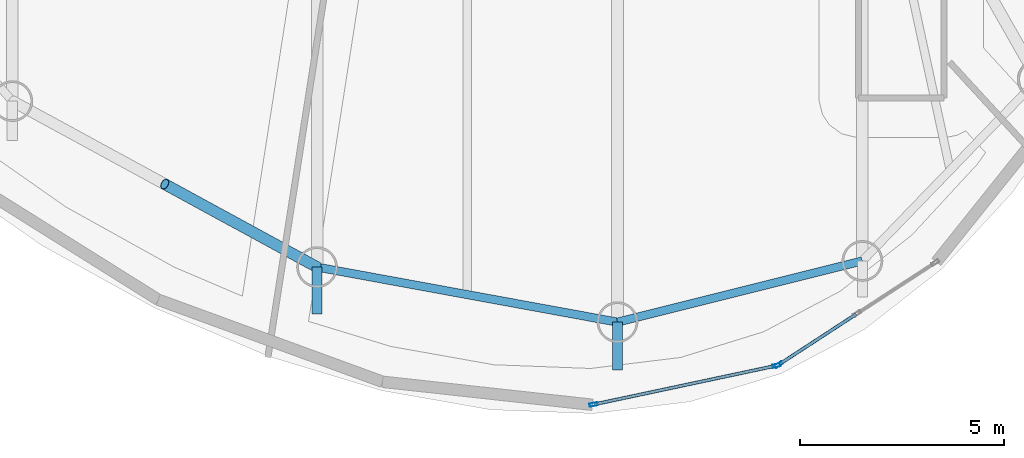
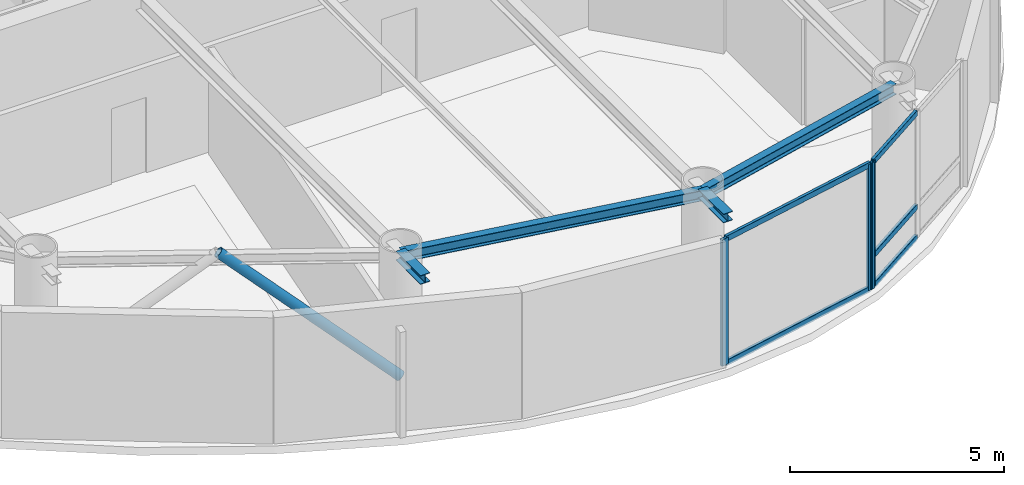
# One storey, part 3 of 20: 9 members, 4 beams, 2 elements without a shape of their own.
"""IFC4 building model written with IfcOpenShell, lengths in metres."""

from ifc_helpers import new_model, si_unit, direction, frame, origin, origin_2d, place, context, subcontext, project, spatial, hollow_rectangle, hollow_circle, i_section, extrude, material, layer, layer_set, material_profile, profile_set, type_object, element, aggregate, save


model = new_model("IFC4")

# Units and contexts
model_context = context("Model", 3, precision=1e-05, world=origin(), true_north=direction((0.0, 1.0)))
body_context = subcontext(model_context, "Body", "Model", "MODEL_VIEW")
ifc_project = project(units=[si_unit("LENGTHUNIT", "METRE"), si_unit("AREAUNIT", "SQUARE_METRE"), si_unit("VOLUMEUNIT", "CUBIC_METRE"), si_unit("PLANEANGLEUNIT", "RADIAN"), si_unit("MASSUNIT", "GRAM", prefix="KILO")], contexts=[model_context])

# Site, building, storey
site_placement = place(None, origin())
site = spatial("IfcSite", under=ifc_project, at=site_placement, CompositionType="ELEMENT")
building_placement = place(site_placement, origin())
building = spatial("IfcBuilding", under=site, at=building_placement, Name="Bramvorn Convention Spire", CompositionType="ELEMENT")
storey_placement = place(building_placement, frame((0.0, 0.0, 303.64990234375)))
storey = spatial("IfcBuildingStorey", under=building, at=storey_placement, Name="L77", CompositionType="ELEMENT", Elevation=303.64990234375)

# Beams
ifc_material_1 = material(Name="Steel CSA G40.21 Grade 350 (350W)", Category="steel")
ifc_material_profile_1 = material_profile(ifc_material_1, i_section(OverallWidth=0.25390625, OverallDepth=0.2529296875, WebThickness=0.008544921875, FlangeThickness=0.01416015625, FilletRadius=0.011962890625, at=origin_2d()))
ifc_profile_set_1 = profile_set([ifc_material_profile_1], Name="Steel CSA G40.21 Grade 350 (350W) - W250X73")
beam_type_1 = type_object("IfcBeamType", Name="BM-W250X73", PredefinedType="BEAM", material=ifc_profile_set_1)
beam_1_placement = place(storey_placement, frame((35.8154296875, 6.44921875, 3.4736328125), z_axis=(0.0, -1.0, 0.0), x_axis=(1.0, 0.0, 0.0)))
element("IfcBeam", 1, at=beam_1_placement, inside=storey, type_object=beam_type_1, Name="L77 slab-edge cantilever tip beam MC15", PredefinedType="BEAM", context=body_context, shape_type="SweptSolid", body=[
    extrude(i_section(OverallWidth=0.25390625, OverallDepth=0.2529296875, WebThickness=0.008544921875, FlangeThickness=0.01416015625, FilletRadius=0.011962890625, at=origin_2d()), origin(), (0.0, 0.0, 1.0), 1.15576171875),
])
beam_2_placement = place(storey_placement, frame((43.1884765625, 5.09912109375, 3.4736328125), z_axis=(0.0, -1.0, 0.0), x_axis=(1.0, 0.0, 0.0)))
element("IfcBeam", 2, at=beam_2_placement, inside=storey, type_object=beam_type_1, Name="L77 slab-edge cantilever tip beam MC16", PredefinedType="BEAM", context=body_context, shape_type="SweptSolid", body=[
    extrude(i_section(OverallWidth=0.25390625, OverallDepth=0.2529296875, WebThickness=0.008544921875, FlangeThickness=0.01416015625, FilletRadius=0.011962890625, at=origin_2d()), origin(), (0.0, 0.0, 1.0), 1.1767578125),
])
ifc_material_profile_2 = material_profile(ifc_material_1, i_section(OverallWidth=0.202880859375, OverallDepth=0.302978515625, WebThickness=0.007568359375, FlangeThickness=0.01318359375, FilletRadius=0.013916015625, at=origin_2d()))
ifc_profile_set_2 = profile_set([ifc_material_profile_2], Name="Steel CSA G40.21 Grade 350 (350W) - W310X60")
beam_type_2 = type_object("IfcBeamType", Name="BM-W310X60", PredefinedType="JOIST", material=ifc_profile_set_2)
beam_3_placement = place(storey_placement, frame((35.8154296875, 6.44921875, 3.448486328125), z_axis=(0.983645049461, -0.180117785547, 0.0), x_axis=(0.180117785547, 0.983645049461, 0.0)))
element("IfcBeam", 3, at=beam_3_placement, inside=storey, type_object=beam_type_2, Name="L77 mega-column ring beam 15", PredefinedType="JOIST", context=body_context, shape_type="SweptSolid", body=[
    extrude(i_section(OverallWidth=0.202880859375, OverallDepth=0.302978515625, WebThickness=0.007568359375, FlangeThickness=0.01318359375, FilletRadius=0.013916015625, at=origin_2d()), origin(), (0.0, 0.0, 1.0), 7.49560546875),
])
beam_4_placement = place(storey_placement, frame((43.1884765625, 5.09912109375, 3.448486328125), z_axis=(0.970177255997, 0.24239655927, 0.0), x_axis=(-0.24239655927, 0.970177255997, 0.0)))
element("IfcBeam", 4, at=beam_4_placement, inside=storey, type_object=beam_type_2, Name="L77 mega-column ring beam 16", PredefinedType="JOIST", context=body_context, shape_type="SweptSolid", body=[
    extrude(i_section(OverallWidth=0.202880859375, OverallDepth=0.302978515625, WebThickness=0.007568359375, FlangeThickness=0.01318359375, FilletRadius=0.013916015625, at=origin_2d()), origin(), (0.0, 0.0, 1.0), 6.1962890625),
])

# Curtain wall, member
ifc_material_2 = material(Name="Anodised Bronze Unitised Curtain Wall", Category="aluminium")
ifc_layer = layer(ifc_material_2, 0.179931640625)
ifc_layer_set = layer_set([ifc_layer], Name="Anodised Bronze Unitised Curtain Wall - CW-OFF-FRIT")
curtain_wall_type = type_object("IfcCurtainWallType", Name="CW-OFF-FRIT", PredefinedType="USERDEFINED", material=ifc_layer_set)
curtain_wall_1_placement = place(storey_placement, origin())
curtain_wall_1 = element("IfcCurtainWall", 5, at=curtain_wall_1_placement, inside=storey, type_object=curtain_wall_type, Name="L77 fritted glass curtain wall 01", ObjectType="UNITISED CURTAIN WALL", PredefinedType="USERDEFINED")
ifc_material_3 = material(Name="Anodised Bronze Aluminium 6063-T6", Category="aluminium")
ifc_material_profile_3 = material_profile(ifc_material_3, hollow_rectangle(XDim=0.080078125, YDim=0.199951171875, WallThickness=0.00390625, InnerFilletRadius=0.0009765625, OuterFilletRadius=0.00390625, at=origin_2d()))
ifc_profile_set_3 = profile_set([ifc_material_profile_3], Name="Anodised Bronze Aluminium 6063-T6 - CWM80X200")
member_type_1 = type_object("IfcMemberType", Name="CW-MUL-180", PredefinedType="MULLION", material=ifc_profile_set_3)
member_1_placement = place(storey_placement, frame((47.14453125, 4.054443359375, 0.0), z_axis=(0.0, 0.0, 1.0), x_axis=(0.546036222066, -0.837761567626, 0.0)))
member_1 = element("IfcMember", 6, at=member_1_placement, type_object=member_type_1, Name="CW3 mullion 3", PredefinedType="MULLION", context=body_context, shape_type="SweptSolid", body=[
    extrude(hollow_rectangle(XDim=0.080078125, YDim=0.199951171875, WallThickness=0.00390625, InnerFilletRadius=0.0009765625, OuterFilletRadius=0.00390625, at=origin_2d()), origin(), (0.0, 0.0, 1.0), 3.60009765625),
])

# Curtain wall, members
curtain_wall_2_placement = place(storey_placement, origin())
curtain_wall_2 = element("IfcCurtainWall", 7, at=curtain_wall_2_placement, inside=storey, type_object=curtain_wall_type, Name="L77 fritted glass curtain wall 24", ObjectType="UNITISED CURTAIN WALL", PredefinedType="USERDEFINED")
member_2_placement = place(storey_placement, frame((47.090087890625, 4.031982421875, 0.0), z_axis=(0.0, 0.0, 1.0), x_axis=(0.207973709543, -0.978134416192, 0.0)))
member_2 = element("IfcMember", 8, at=member_2_placement, type_object=member_type_1, Name="CW3 mullion 1", PredefinedType="MULLION", context=body_context, shape_type="SweptSolid", body=[
    extrude(hollow_rectangle(XDim=0.080078125, YDim=0.199951171875, WallThickness=0.00390625, InnerFilletRadius=0.0009765625, OuterFilletRadius=0.00390625, at=origin_2d()), origin(), (0.0, 0.0, 1.0), 3.60009765625),
])
member_3_placement = place(storey_placement, frame((42.599853515625, 3.0771484375, 0.0), z_axis=(0.0, 0.0, 1.0), x_axis=(0.207973709543, -0.978134416192, 0.0)))
member_3 = element("IfcMember", 9, at=member_3_placement, type_object=member_type_1, Name="CW3 mullion 2", PredefinedType="MULLION", context=body_context, shape_type="SweptSolid", body=[
    extrude(hollow_rectangle(XDim=0.080078125, YDim=0.199951171875, WallThickness=0.00390625, InnerFilletRadius=0.0009765625, OuterFilletRadius=0.00390625, at=origin_2d()), origin(), (0.0, 0.0, 1.0), 3.60009765625),
])

# Member
ifc_material_profile_4 = material_profile(ifc_material_3, hollow_rectangle(XDim=0.080078125, YDim=0.159912109375, WallThickness=0.00390625, InnerFilletRadius=0.0009765625, OuterFilletRadius=0.00390625, at=origin_2d()))
ifc_profile_set_4 = profile_set([ifc_material_profile_4], Name="Anodised Bronze Aluminium 6063-T6 - CWT80X160")
member_type_2 = type_object("IfcMemberType", Name="CW-TRN-150", PredefinedType="USERDEFINED", material=ifc_profile_set_4)
member_4_placement = place(storey_placement, frame((49.042236328125, 5.29150390625, 0.030029296875), z_axis=(-0.837719221094, -0.546101187154, 0.0), x_axis=(0.546101187154, -0.837719221094, 0.0)))
member_4 = element("IfcMember", 10, at=member_4_placement, type_object=member_type_2, Name="CW3 transom 2.1", ObjectType="TRANSOM", PredefinedType="USERDEFINED", context=body_context, shape_type="SweptSolid", body=[
    extrude(hollow_rectangle(XDim=0.080078125, YDim=0.159912109375, WallThickness=0.00390625, InnerFilletRadius=0.0009765625, OuterFilletRadius=0.00390625, at=origin_2d()), origin(), (0.0, 0.0, 1.0), 2.2353515625),
])

member_5_placement = place(storey_placement, frame((49.042236328125, 5.29150390625, 0.900146484375), z_axis=(-0.837719221094, -0.546101187154, 0.0), x_axis=(0.546101187154, -0.837719221094, 0.0)))
member_5 = element("IfcMember", 11, at=member_5_placement, type_object=member_type_2, Name="CW3 transom 2.2", ObjectType="TRANSOM", PredefinedType="USERDEFINED", context=body_context, shape_type="SweptSolid", body=[
    extrude(hollow_rectangle(XDim=0.080078125, YDim=0.159912109375, WallThickness=0.00390625, InnerFilletRadius=0.0009765625, OuterFilletRadius=0.00390625, at=origin_2d()), origin(), (0.0, 0.0, 1.0), 2.2353515625),
])

member_6_placement = place(storey_placement, frame((49.042236328125, 5.29150390625, 3.570068359375), z_axis=(-0.837719221094, -0.546101187154, 0.0), x_axis=(0.546101187154, -0.837719221094, 0.0)))
member_6 = element("IfcMember", 12, at=member_6_placement, type_object=member_type_2, Name="CW3 transom 2.3", ObjectType="TRANSOM", PredefinedType="USERDEFINED", context=body_context, shape_type="SweptSolid", body=[
    extrude(hollow_rectangle(XDim=0.080078125, YDim=0.159912109375, WallThickness=0.00390625, InnerFilletRadius=0.0009765625, OuterFilletRadius=0.00390625, at=origin_2d()), origin(), (0.0, 0.0, 1.0), 2.2353515625),
])

aggregate(curtain_wall_1, [member_1, member_4, member_5, member_6])

member_7_placement = place(storey_placement, frame((47.060791015625, 4.025634765625, 0.030029296875), z_axis=(-0.978140221691, -0.207946403455, 0.0), x_axis=(0.207946403455, -0.978140221691, 0.0)))
member_7 = element("IfcMember", 13, at=member_7_placement, type_object=member_type_2, Name="CW3 transom 1.1", ObjectType="TRANSOM", PredefinedType="USERDEFINED", context=body_context, shape_type="SweptSolid", body=[
    extrude(hollow_rectangle(XDim=0.080078125, YDim=0.159912109375, WallThickness=0.00390625, InnerFilletRadius=0.0009765625, OuterFilletRadius=0.00390625, at=origin_2d()), origin(), (0.0, 0.0, 1.0), 4.53076171875),
])

member_8_placement = place(storey_placement, frame((47.060791015625, 4.025634765625, 3.570068359375), z_axis=(-0.978140221691, -0.207946403455, 0.0), x_axis=(0.207946403455, -0.978140221691, 0.0)))
member_8 = element("IfcMember", 14, at=member_8_placement, type_object=member_type_2, Name="CW3 transom 1.2", ObjectType="TRANSOM", PredefinedType="USERDEFINED", context=body_context, shape_type="SweptSolid", body=[
    extrude(hollow_rectangle(XDim=0.080078125, YDim=0.159912109375, WallThickness=0.00390625, InnerFilletRadius=0.0009765625, OuterFilletRadius=0.00390625, at=origin_2d()), origin(), (0.0, 0.0, 1.0), 4.53076171875),
])

aggregate(curtain_wall_2, [member_2, member_3, member_7, member_8])

ifc_material_profile_5 = material_profile(ifc_material_1, hollow_circle(Radius=0.136474609375, WallThickness=0.0126953125, at=origin_2d()))
ifc_profile_set_5 = profile_set([ifc_material_profile_5], Name="Steel CSA G40.21 Grade 350 (350W) - CHS273X13")
member_type_3 = type_object("IfcMemberType", Name="MBR-CHS273X13", PredefinedType="BRACE", material=ifc_profile_set_5)
member_9_placement = place(storey_placement, frame((35.8154296875, 6.44921875, 0.0), z_axis=(-0.670552609428, 0.365314119137, 0.645681649382), x_axis=(-0.478406114461, -0.878138707521, 0.0)))
element("IfcMember", 15, at=member_9_placement, inside=storey, type_object=member_type_3, Name="L77 perimeter Gothic lancet brace 14B", PredefinedType="BRACE", context=body_context, shape_type="SweptSolid", body=[
    extrude(hollow_circle(Radius=0.136474609375, WallThickness=0.0126953125, at=origin_2d()), origin(), (0.0, 0.0, 1.0), 5.57568359375),
])

save(model, "model.ifc")
